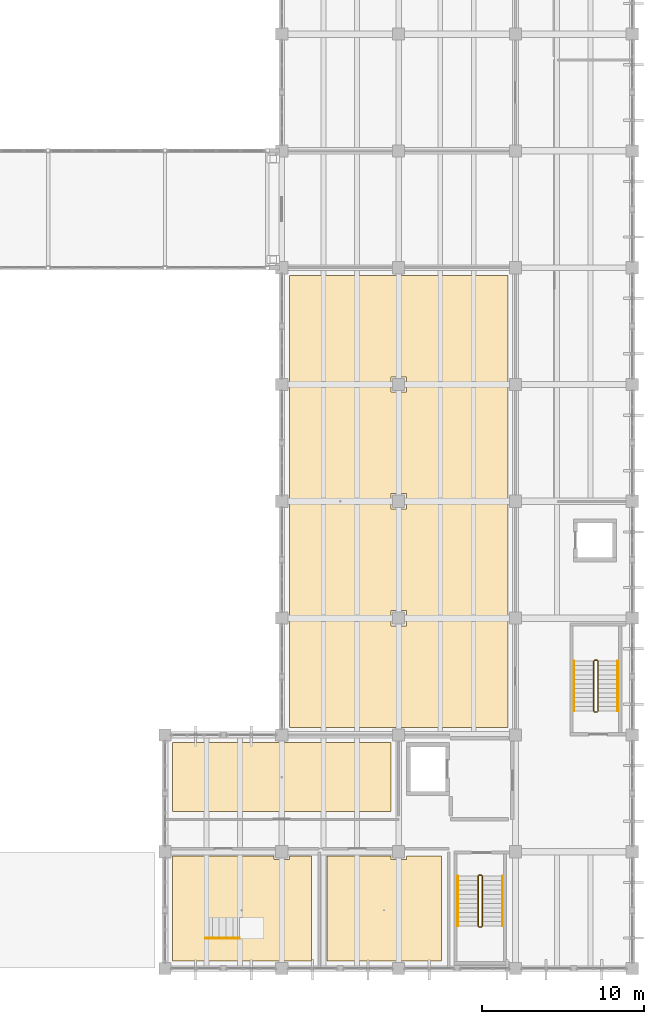
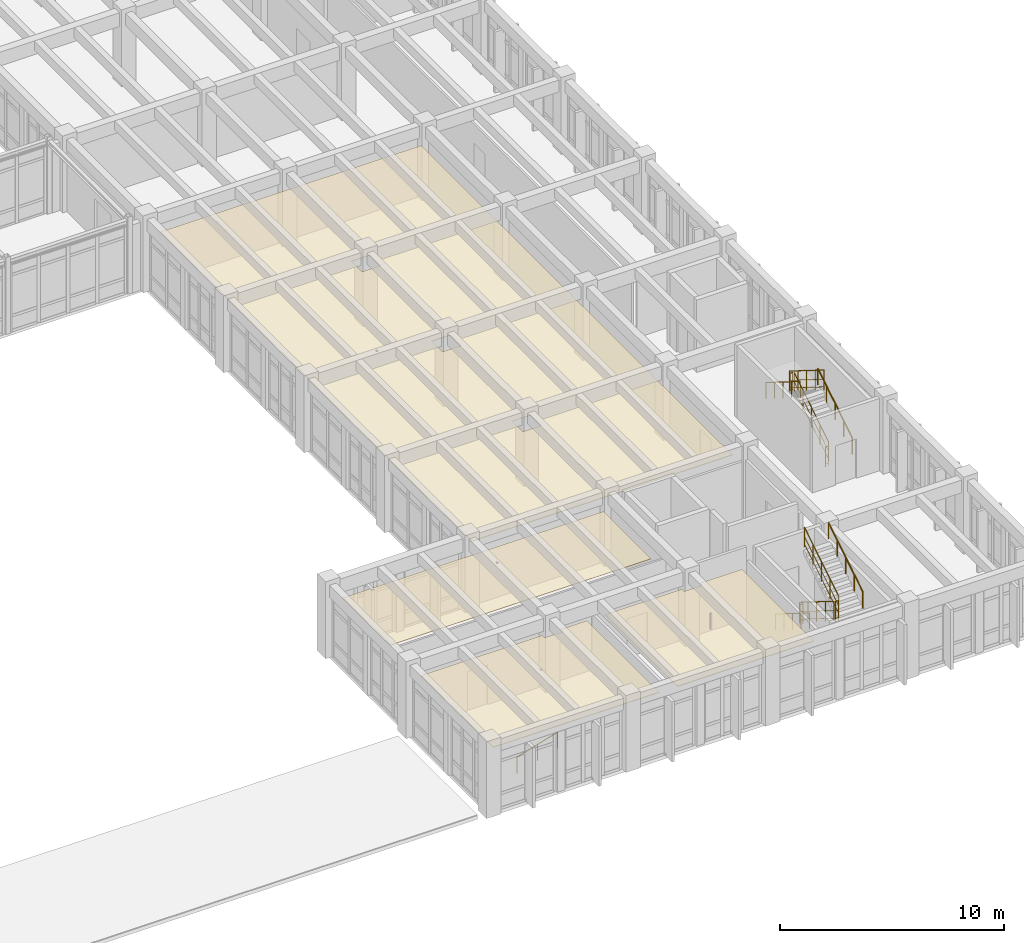
# One storey, part 135 of 136: 13 railings, 4 coverings.
"""IFC4 building model written with IfcOpenShell, lengths in metres."""

from ifc_helpers import new_model, si_unit, direction, frame, origin, origin_2d, place, context, subcontext, project, spatial, polyline, circle, outline, extrude, material, layer, layer_set, type_object, element, save


model = new_model("IFC4")

# Units and contexts
model_context = context("Model", 3, precision=1e-05, world=origin(), true_north=direction((0.0, 1.0)))
body_context = subcontext(model_context, "Body", "Model", "MODEL_VIEW")
ifc_project = project(units=[si_unit("LENGTHUNIT", "METRE"), si_unit("AREAUNIT", "SQUARE_METRE"), si_unit("VOLUMEUNIT", "CUBIC_METRE"), si_unit("PLANEANGLEUNIT", "RADIAN"), si_unit("MASSUNIT", "GRAM", prefix="KILO")], contexts=[model_context])

# Site, building, storey
site_placement = place(None, origin())
site = spatial("IfcSite", under=ifc_project, at=site_placement, CompositionType="ELEMENT")
building_placement = place(site_placement, origin())
building = spatial("IfcBuilding", under=site, at=building_placement, Name="Koriwan Promenade Central Fire Station", CompositionType="ELEMENT")
storey_placement = place(building_placement, frame((0.0, 0.0, 5.39990234375)))
storey = spatial("IfcBuildingStorey", under=building, at=storey_placement, Name="L01", CompositionType="ELEMENT", Elevation=5.39990234375)

# Coverings
ifc_material_1 = material(Name="Mineral-fibre acoustic ceiling tile on suspended grid", Category="ceiling")
ifc_layer_1 = layer(ifc_material_1, 0.02490234375, Name="Mineral-fibre acoustic ceiling tile on suspended grid")
ifc_layer_set_1 = layer_set([ifc_layer_1], Name="Mineral-fibre acoustic ceiling tile on suspended grid")
covering_type = type_object("IfcCoveringType", Name="AcousticCeiling_Tile", PredefinedType="CEILING", material=ifc_layer_set_1)
covering_1_placement = place(storey_placement, frame((0.0, 0.0, 3.080078125)))
element("IfcCovering", 1, at=covering_1_placement, inside=storey, type_object=covering_type, Name="Fire Engineering Training Classroom 1 suspended acoustic ceiling", PredefinedType="CEILING", context=body_context, shape_type="SweptSolid", body=[
    extrude(outline(polyline([(150.72509765625, 6.72509765625), (151.675048828125, 6.72509765625), (151.675048828125, 6.929931640625), (153.030029296875, 6.929931640625), (153.030029296875, 0.469970703125), (151.675048828125, 0.469970703125), (151.675048828125, 0.47509765625), (150.72509765625, 0.47509765625), (150.72509765625, 0.469970703125), (144.47509765625, 0.469970703125), (144.47509765625, 0.47509765625), (144.469970703125, 0.47509765625), (144.469970703125, 6.72509765625), (144.47509765625, 6.72509765625), (144.47509765625, 6.929931640625), (150.72509765625, 6.929931640625), (150.72509765625, 6.72509765625)])), origin(), (0.0, 0.0, 1.0), 0.02490234375),
])
covering_2_placement = place(storey_placement, frame((0.0, 0.0, 3.080078125)))
element("IfcCovering", 2, at=covering_2_placement, inside=storey, type_object=covering_type, Name="Incident Command Seminar Classroom 2 suspended acoustic ceiling", PredefinedType="CEILING", context=body_context, shape_type="SweptSolid", body=[
    extrude(outline(polyline([(153.969970703125, 0.469970703125), (153.969970703125, 6.929931640625), (157.925048828125, 6.929931640625), (157.925048828125, 6.72509765625), (158.875, 6.72509765625), (158.875, 6.929931640625), (161.030029296875, 6.929931640625), (161.030029296875, 0.469970703125), (158.875, 0.469970703125), (158.875, 0.47509765625), (157.925048828125, 0.47509765625), (157.925048828125, 0.469970703125), (153.969970703125, 0.469970703125)])), origin(), (0.0, 0.0, 1.0), 0.02490234375),
])
covering_3_placement = place(storey_placement, frame((0.0, 0.0, 3.080078125)))
element("IfcCovering", 3, at=covering_3_placement, inside=storey, type_object=covering_type, Name="Plan Review and Building Code Office suspended acoustic ceiling", PredefinedType="CEILING", context=body_context, shape_type="SweptSolid", body=[
    extrude(outline(polyline([(151.675048828125, 13.929931640625), (157.925048828125, 13.929931640625), (157.925048828125, 13.925048828125), (157.929931640625, 13.925048828125), (157.929931640625, 9.669921875), (144.469970703125, 9.669921875), (144.469970703125, 13.925048828125), (144.47509765625, 13.925048828125), (144.47509765625, 13.929931640625), (150.72509765625, 13.929931640625), (150.72509765625, 13.925048828125), (151.675048828125, 13.925048828125), (151.675048828125, 13.929931640625)])), origin(), (0.0, 0.0, 1.0), 0.02490234375),
])
covering_4_placement = place(storey_placement, frame((0.0, 0.0, 3.080078125)))
element("IfcCovering", 4, at=covering_4_placement, inside=storey, type_object=covering_type, Name="Metropolitan Brigade Operations Office suspended acoustic ceiling", PredefinedType="CEILING", context=body_context, shape_type="SweptSolid", body=[
    extrude(outline(polyline([(165.1298828125, 35.52490234375), (165.1298828125, 29.27490234375), (165.125, 29.27490234375), (165.125, 28.324951171875), (165.1298828125, 28.324951171875), (165.1298828125, 22.074951171875), (165.125, 22.074951171875), (165.125, 21.125), (165.1298828125, 21.125), (165.1298828125, 14.875), (165.125, 14.875), (165.125, 14.8701171875), (158.875, 14.8701171875), (158.875, 14.875), (157.925048828125, 14.875), (157.925048828125, 14.8701171875), (151.675048828125, 14.8701171875), (151.675048828125, 14.875), (151.669921875, 14.875), (151.669921875, 21.125), (151.675048828125, 21.125), (151.675048828125, 22.074951171875), (151.669921875, 22.074951171875), (151.669921875, 28.324951171875), (151.675048828125, 28.324951171875), (151.675048828125, 29.27490234375), (151.669921875, 29.27490234375), (151.669921875, 35.52490234375), (151.675048828125, 35.52490234375), (151.675048828125, 36.47509765625), (151.669921875, 36.47509765625), (151.669921875, 42.72509765625), (151.675048828125, 42.72509765625), (151.675048828125, 42.72998046875), (157.925048828125, 42.72998046875), (157.925048828125, 42.72509765625), (158.875, 42.72509765625), (158.875, 42.72998046875), (165.125, 42.72998046875), (165.125, 42.72509765625), (165.1298828125, 42.72509765625), (165.1298828125, 36.47509765625), (165.125, 36.47509765625), (165.125, 35.52490234375), (165.1298828125, 35.52490234375)]), holes=[polyline([(157.925048828125, 22.074951171875), (157.925048828125, 21.125), (158.875, 21.125), (158.875, 22.074951171875), (157.925048828125, 22.074951171875)]), polyline([(158.875, 29.27490234375), (157.925048828125, 29.27490234375), (157.925048828125, 28.324951171875), (158.875, 28.324951171875), (158.875, 29.27490234375)]), polyline([(158.875, 35.52490234375), (158.875, 36.47509765625), (157.925048828125, 36.47509765625), (157.925048828125, 35.52490234375), (158.875, 35.52490234375)])]), origin(), (0.0, 0.0, 1.0), 0.02490234375),
])

# Railings
ifc_material_2 = material(Name="Steel ASTM A500 Grade C", Category="steel")
ifc_layer_2 = layer(ifc_material_2, 0.050048828125, Name="Steel ASTM A500 Grade C")
ifc_layer_set_2 = layer_set([ifc_layer_2], Name="Steel ASTM A500 Grade C")
railing_type_1 = type_object("IfcRailingType", Name="StairGuard_1100", PredefinedType="BALUSTRADE", material=ifc_layer_set_2)
railing_1_placement = place(storey_placement, frame((163.300048828125, 5.699951171875, 0.175048828125)))
element("IfcRailing", 5, at=railing_1_placement, inside=storey, type_object=railing_type_1, Name="L01 ST22 stair guard 1", PredefinedType="BALUSTRADE", context=body_context, shape_type="SweptSolid", body=[
    extrude(circle(Radius=0.02392578125, at=origin_2d()), frame((0.0, 0.0, 1.076171875), z_axis=(0.0, -0.847979421464, 0.530029150871), x_axis=(1.0, 0.0, 0.0)), (0.0, 0.0, 1.0), 3.632080078125),
    extrude(circle(Radius=0.012939453125, at=origin_2d()), frame((0.0, 0.0, 0.572021484375), z_axis=(0.0, -0.847979421464, 0.530029150871), x_axis=(1.0, 0.0, 0.0)), (0.0, 0.0, 1.0), 3.632080078125),
    extrude(circle(Radius=0.012939453125, at=origin_2d()), frame((0.0, 0.0, 0.154052734375), z_axis=(0.0, -0.847979421464, 0.530029150871), x_axis=(1.0, 0.0, 0.0)), (0.0, 0.0, 1.0), 3.632080078125),
    extrude(circle(Radius=0.02099609375, at=origin_2d()), origin(), (0.0, 0.0, 1.0), 1.052001953125),
    extrude(circle(Radius=0.02099609375, at=origin_2d()), frame((0.0, -0.77001953125, 0.481201171875)), (0.0, 0.0, 1.0), 1.052001953125),
    extrude(circle(Radius=0.02099609375, at=origin_2d()), frame((0.0, -1.5400390625, 0.96240234375)), (0.0, 0.0, 1.0), 1.052001953125),
    extrude(circle(Radius=0.02099609375, at=origin_2d()), frame((0.0, -2.309814453125, 1.44384765625)), (0.0, 0.0, 1.0), 1.052001953125),
    extrude(circle(Radius=0.02099609375, at=origin_2d()), frame((0.0, -3.079833984375, 1.925048828125)), (0.0, 0.0, 1.0), 1.052001953125),
])
railing_2_placement = place(storey_placement, frame((163.35009765625, 2.570068359375, 2.10009765625)))
element("IfcRailing", 6, at=railing_2_placement, inside=storey, type_object=railing_type_1, Name="L01 ST22 stair guard 2", PredefinedType="BALUSTRADE", context=body_context, shape_type="SweptSolid", body=[
    extrude(circle(Radius=0.02392578125, at=origin_2d()), frame((0.0, 0.0, 1.076171875), z_axis=(1.0, 0.0, 0.0), x_axis=(0.0, 1.0, 0.0)), (0.0, 0.0, 1.0), 0.14990234375),
    extrude(circle(Radius=0.012939453125, at=origin_2d()), frame((0.0, 0.0, 0.572021484375), z_axis=(1.0, 0.0, 0.0), x_axis=(0.0, 1.0, 0.0)), (0.0, 0.0, 1.0), 0.14990234375),
    extrude(circle(Radius=0.012939453125, at=origin_2d()), frame((0.0, 0.0, 0.154052734375), z_axis=(1.0, 0.0, 0.0), x_axis=(0.0, 1.0, 0.0)), (0.0, 0.0, 1.0), 0.14990234375),
    extrude(circle(Radius=0.02099609375, at=origin_2d()), origin(), (0.0, 0.0, 1.0), 1.052001953125),
    extrude(circle(Radius=0.02099609375, at=origin_2d()), frame((0.14990234375, 0.0, 0.0)), (0.0, 0.0, 1.0), 1.052001953125),
])
railing_3_placement = place(storey_placement, frame((163.550048828125, 2.6201171875, 2.275146484375)))
element("IfcRailing", 7, at=railing_3_placement, inside=storey, type_object=railing_type_1, Name="L01 ST22 stair guard 3", PredefinedType="BALUSTRADE", context=body_context, shape_type="SweptSolid", body=[
    extrude(circle(Radius=0.02392578125, at=origin_2d()), frame((0.0, 0.0, 1.076171875), z_axis=(0.0, 0.847979421464, 0.530029150871), x_axis=(-1.0, 0.0, 0.0)), (0.0, 0.0, 1.0), 3.632080078125),
    extrude(circle(Radius=0.012939453125, at=origin_2d()), frame((0.0, 0.0, 0.572021484375), z_axis=(0.0, 0.847979421464, 0.530029150871), x_axis=(-1.0, 0.0, 0.0)), (0.0, 0.0, 1.0), 3.632080078125),
    extrude(circle(Radius=0.012939453125, at=origin_2d()), frame((0.0, 0.0, 0.154052734375), z_axis=(0.0, 0.847979421464, 0.530029150871), x_axis=(-1.0, 0.0, 0.0)), (0.0, 0.0, 1.0), 3.632080078125),
    extrude(circle(Radius=0.02099609375, at=origin_2d()), origin(), (0.0, 0.0, 1.0), 1.052001953125),
    extrude(circle(Radius=0.02099609375, at=origin_2d()), frame((0.0, 0.77001953125, 0.481201171875)), (0.0, 0.0, 1.0), 1.052001953125),
    extrude(circle(Radius=0.02099609375, at=origin_2d()), frame((0.0, 1.5400390625, 0.96240234375)), (0.0, 0.0, 1.0), 1.052001953125),
    extrude(circle(Radius=0.02099609375, at=origin_2d()), frame((0.0, 2.309814453125, 1.44384765625)), (0.0, 0.0, 1.0), 1.052001953125),
    extrude(circle(Radius=0.02099609375, at=origin_2d()), frame((0.0, 3.079833984375, 1.925048828125)), (0.0, 0.0, 1.0), 1.052001953125),
])
railing_4_placement = place(storey_placement, frame((163.35009765625, 5.75, 0.0)))
element("IfcRailing", 8, at=railing_4_placement, inside=storey, type_object=railing_type_1, Name="L01 ST22 stair guard 4", PredefinedType="BALUSTRADE", context=body_context, shape_type="SweptSolid", body=[
    extrude(circle(Radius=0.02392578125, at=origin_2d()), frame((0.0, 0.0, 1.076171875), z_axis=(1.0, 0.0, 0.0), x_axis=(0.0, 1.0, 0.0)), (0.0, 0.0, 1.0), 0.14990234375),
    extrude(circle(Radius=0.012939453125, at=origin_2d()), frame((0.0, 0.0, 0.572021484375), z_axis=(1.0, 0.0, 0.0), x_axis=(0.0, 1.0, 0.0)), (0.0, 0.0, 1.0), 0.14990234375),
    extrude(circle(Radius=0.012939453125, at=origin_2d()), frame((0.0, 0.0, 0.154052734375), z_axis=(1.0, 0.0, 0.0), x_axis=(0.0, 1.0, 0.0)), (0.0, 0.0, 1.0), 0.14990234375),
    extrude(circle(Radius=0.02099609375, at=origin_2d()), origin(), (0.0, 0.0, 1.0), 1.052001953125),
    extrude(circle(Radius=0.02099609375, at=origin_2d()), frame((0.14990234375, 0.0, 0.0)), (0.0, 0.0, 1.0), 1.052001953125),
])
railing_5_placement = place(storey_placement, frame((170.679931640625, 15.8701171875, 0.175048828125)))
element("IfcRailing", 9, at=railing_5_placement, inside=storey, type_object=railing_type_1, Name="L01 ST27 stair guard 1", PredefinedType="BALUSTRADE", context=body_context, shape_type="SweptSolid", body=[
    extrude(circle(Radius=0.02392578125, at=origin_2d()), frame((0.0, 0.0, 1.076171875), z_axis=(0.0, 0.847979421464, 0.530029150871), x_axis=(-1.0, 0.0, 0.0)), (0.0, 0.0, 1.0), 3.632080078125),
    extrude(circle(Radius=0.012939453125, at=origin_2d()), frame((0.0, 0.0, 0.572021484375), z_axis=(0.0, 0.847979421464, 0.530029150871), x_axis=(-1.0, 0.0, 0.0)), (0.0, 0.0, 1.0), 3.632080078125),
    extrude(circle(Radius=0.012939453125, at=origin_2d()), frame((0.0, 0.0, 0.154052734375), z_axis=(0.0, 0.847979421464, 0.530029150871), x_axis=(-1.0, 0.0, 0.0)), (0.0, 0.0, 1.0), 3.632080078125),
    extrude(circle(Radius=0.02099609375, at=origin_2d()), origin(), (0.0, 0.0, 1.0), 1.052001953125),
    extrude(circle(Radius=0.02099609375, at=origin_2d()), frame((0.0, 0.77001953125, 0.481201171875)), (0.0, 0.0, 1.0), 1.052001953125),
    extrude(circle(Radius=0.02099609375, at=origin_2d()), frame((0.0, 1.5400390625, 0.96240234375)), (0.0, 0.0, 1.0), 1.052001953125),
    extrude(circle(Radius=0.02099609375, at=origin_2d()), frame((0.0, 2.309814453125, 1.44384765625)), (0.0, 0.0, 1.0), 1.052001953125),
    extrude(circle(Radius=0.02099609375, at=origin_2d()), frame((0.0, 3.079833984375, 1.925048828125)), (0.0, 0.0, 1.0), 1.052001953125),
])
railing_6_placement = place(storey_placement, frame((170.6298828125, 19.0, 2.10009765625)))
element("IfcRailing", 10, at=railing_6_placement, inside=storey, type_object=railing_type_1, Name="L01 ST27 stair guard 2", PredefinedType="BALUSTRADE", context=body_context, shape_type="SweptSolid", body=[
    extrude(circle(Radius=0.02392578125, at=origin_2d()), frame((0.0, 0.0, 1.076171875), z_axis=(-1.0, 0.0, 0.0), x_axis=(0.0, -1.0, 0.0)), (0.0, 0.0, 1.0), 0.14990234375),
    extrude(circle(Radius=0.012939453125, at=origin_2d()), frame((0.0, 0.0, 0.572021484375), z_axis=(-1.0, 0.0, 0.0), x_axis=(0.0, -1.0, 0.0)), (0.0, 0.0, 1.0), 0.14990234375),
    extrude(circle(Radius=0.012939453125, at=origin_2d()), frame((0.0, 0.0, 0.154052734375), z_axis=(-1.0, 0.0, 0.0), x_axis=(0.0, -1.0, 0.0)), (0.0, 0.0, 1.0), 0.14990234375),
    extrude(circle(Radius=0.02099609375, at=origin_2d()), origin(), (0.0, 0.0, 1.0), 1.052001953125),
    extrude(circle(Radius=0.02099609375, at=origin_2d()), frame((-0.14990234375, 0.0, 0.0)), (0.0, 0.0, 1.0), 1.052001953125),
])
railing_7_placement = place(storey_placement, frame((170.429931640625, 18.949951171875, 2.275146484375)))
element("IfcRailing", 11, at=railing_7_placement, inside=storey, type_object=railing_type_1, Name="L01 ST27 stair guard 3", PredefinedType="BALUSTRADE", context=body_context, shape_type="SweptSolid", body=[
    extrude(circle(Radius=0.02392578125, at=origin_2d()), frame((0.0, 0.0, 1.076171875), z_axis=(0.0, -0.847979421464, 0.530029150871), x_axis=(1.0, 0.0, 0.0)), (0.0, 0.0, 1.0), 3.632080078125),
    extrude(circle(Radius=0.012939453125, at=origin_2d()), frame((0.0, 0.0, 0.572021484375), z_axis=(0.0, -0.847979421464, 0.530029150871), x_axis=(1.0, 0.0, 0.0)), (0.0, 0.0, 1.0), 3.632080078125),
    extrude(circle(Radius=0.012939453125, at=origin_2d()), frame((0.0, 0.0, 0.154052734375), z_axis=(0.0, -0.847979421464, 0.530029150871), x_axis=(1.0, 0.0, 0.0)), (0.0, 0.0, 1.0), 3.632080078125),
    extrude(circle(Radius=0.02099609375, at=origin_2d()), origin(), (0.0, 0.0, 1.0), 1.052001953125),
    extrude(circle(Radius=0.02099609375, at=origin_2d()), frame((0.0, -0.77001953125, 0.481201171875)), (0.0, 0.0, 1.0), 1.052001953125),
    extrude(circle(Radius=0.02099609375, at=origin_2d()), frame((0.0, -1.5400390625, 0.96240234375)), (0.0, 0.0, 1.0), 1.052001953125),
    extrude(circle(Radius=0.02099609375, at=origin_2d()), frame((0.0, -2.309814453125, 1.44384765625)), (0.0, 0.0, 1.0), 1.052001953125),
    extrude(circle(Radius=0.02099609375, at=origin_2d()), frame((0.0, -3.079833984375, 1.925048828125)), (0.0, 0.0, 1.0), 1.052001953125),
])
railing_8_placement = place(storey_placement, frame((170.6298828125, 15.820068359375, 0.0)))
element("IfcRailing", 12, at=railing_8_placement, inside=storey, type_object=railing_type_1, Name="L01 ST27 stair guard 4", PredefinedType="BALUSTRADE", context=body_context, shape_type="SweptSolid", body=[
    extrude(circle(Radius=0.02392578125, at=origin_2d()), frame((0.0, 0.0, 1.076171875), z_axis=(-1.0, 0.0, 0.0), x_axis=(0.0, -1.0, 0.0)), (0.0, 0.0, 1.0), 0.14990234375),
    extrude(circle(Radius=0.012939453125, at=origin_2d()), frame((0.0, 0.0, 0.572021484375), z_axis=(-1.0, 0.0, 0.0), x_axis=(0.0, -1.0, 0.0)), (0.0, 0.0, 1.0), 0.14990234375),
    extrude(circle(Radius=0.012939453125, at=origin_2d()), frame((0.0, 0.0, 0.154052734375), z_axis=(-1.0, 0.0, 0.0), x_axis=(0.0, -1.0, 0.0)), (0.0, 0.0, 1.0), 0.14990234375),
    extrude(circle(Radius=0.02099609375, at=origin_2d()), origin(), (0.0, 0.0, 1.0), 1.052001953125),
    extrude(circle(Radius=0.02099609375, at=origin_2d()), frame((-0.14990234375, 0.0, 0.0)), (0.0, 0.0, 1.0), 1.052001953125),
])
ifc_material_3 = material(Name="Stainless steel 316 tubular handrail", Category="steel")
ifc_layer_3 = layer(ifc_material_3, 0.048095703125, Name="Stainless steel 316 tubular handrail")
ifc_layer_set_3 = layer_set([ifc_layer_3], Name="Stainless steel 316 tubular handrail")
railing_type_2 = type_object("IfcRailingType", Name="StairHandrail_900", PredefinedType="HANDRAIL", material=ifc_layer_set_3)
railing_9_placement = place(storey_placement, frame((162.050048828125, 5.699951171875, 0.175048828125)))
element("IfcRailing", 13, at=railing_9_placement, inside=storey, type_object=railing_type_2, Name="L01 ST22 stair handrail 1", PredefinedType="HANDRAIL", context=body_context, shape_type="SweptSolid", body=[
    extrude(circle(Radius=0.02392578125, at=origin_2d()), frame((0.0, 0.0, 0.8759765625), z_axis=(0.0, -0.847979421464, 0.530029150871), x_axis=(1.0, 0.0, 0.0)), (0.0, 0.0, 1.0), 3.632080078125),
    extrude(circle(Radius=0.02099609375, at=origin_2d()), origin(), (0.0, 0.0, 1.0), 0.851806640625),
    extrude(circle(Radius=0.02099609375, at=origin_2d()), frame((0.0, -0.77001953125, 0.481201171875)), (0.0, 0.0, 1.0), 0.851806640625),
    extrude(circle(Radius=0.02099609375, at=origin_2d()), frame((0.0, -1.5400390625, 0.96240234375)), (0.0, 0.0, 1.0), 0.851806640625),
    extrude(circle(Radius=0.02099609375, at=origin_2d()), frame((0.0, -2.309814453125, 1.44384765625)), (0.0, 0.0, 1.0), 0.851806640625),
    extrude(circle(Radius=0.02099609375, at=origin_2d()), frame((0.0, -3.079833984375, 1.925048828125)), (0.0, 0.0, 1.0), 0.851806640625),
])
for number, where, name in (
    (14, (164.800048828125, 2.6201171875, 2.275146484375), "L01 ST22 stair handrail 2"),
    (15, (171.89990234375, 15.8701171875, 0.175048828125), "L01 ST27 stair handrail 1"),
):
    element("IfcRailing", number, at=place(storey_placement, frame(where)), inside=storey, type_object=railing_type_2, Name=name, PredefinedType="HANDRAIL", context=body_context, shape_type="SweptSolid", body=[
        extrude(circle(Radius=0.02392578125, at=origin_2d()), frame((0.0, 0.0, 0.8759765625), z_axis=(0.0, 0.847979421464, 0.530029150871), x_axis=(-1.0, 0.0, 0.0)), (0.0, 0.0, 1.0), 3.632080078125),
        extrude(circle(Radius=0.02099609375, at=origin_2d()), origin(), (0.0, 0.0, 1.0), 0.851806640625),
        extrude(circle(Radius=0.02099609375, at=origin_2d()), frame((0.0, 0.77001953125, 0.481201171875)), (0.0, 0.0, 1.0), 0.851806640625),
        extrude(circle(Radius=0.02099609375, at=origin_2d()), frame((0.0, 1.5400390625, 0.96240234375)), (0.0, 0.0, 1.0), 0.851806640625),
        extrude(circle(Radius=0.02099609375, at=origin_2d()), frame((0.0, 2.309814453125, 1.44384765625)), (0.0, 0.0, 1.0), 0.851806640625),
        extrude(circle(Radius=0.02099609375, at=origin_2d()), frame((0.0, 3.079833984375, 1.925048828125)), (0.0, 0.0, 1.0), 0.851806640625),
    ])
railing_10_placement = place(storey_placement, frame((169.2099609375, 18.949951171875, 2.275146484375)))
element("IfcRailing", 16, at=railing_10_placement, inside=storey, type_object=railing_type_2, Name="L01 ST27 stair handrail 2", PredefinedType="HANDRAIL", context=body_context, shape_type="SweptSolid", body=[
    extrude(circle(Radius=0.02392578125, at=origin_2d()), frame((0.0, 0.0, 0.8759765625), z_axis=(0.0, -0.847979421464, 0.530029150871), x_axis=(1.0, 0.0, 0.0)), (0.0, 0.0, 1.0), 3.632080078125),
    extrude(circle(Radius=0.02099609375, at=origin_2d()), origin(), (0.0, 0.0, 1.0), 0.851806640625),
    extrude(circle(Radius=0.02099609375, at=origin_2d()), frame((0.0, -0.77001953125, 0.481201171875)), (0.0, 0.0, 1.0), 0.851806640625),
    extrude(circle(Radius=0.02099609375, at=origin_2d()), frame((0.0, -1.5400390625, 0.96240234375)), (0.0, 0.0, 1.0), 0.851806640625),
    extrude(circle(Radius=0.02099609375, at=origin_2d()), frame((0.0, -2.309814453125, 1.44384765625)), (0.0, 0.0, 1.0), 0.851806640625),
    extrude(circle(Radius=0.02099609375, at=origin_2d()), frame((0.0, -3.079833984375, 1.925048828125)), (0.0, 0.0, 1.0), 0.851806640625),
])
railing_11_placement = place(storey_placement, frame((146.5, 1.8798828125, 0.125)))
element("IfcRailing", 17, at=railing_11_placement, inside=storey, type_object=railing_type_2, Name="DAIS_V5_CL1 dais handrail", PredefinedType="HANDRAIL", context=body_context, shape_type="SweptSolid", body=[
    extrude(circle(Radius=0.02392578125, at=origin_2d()), frame((0.0, 0.0, 0.8759765625), z_axis=(0.958455704924, 0.0, 0.28524140951), x_axis=(0.0, 1.0, 0.0)), (0.0, 0.0, 1.0), 2.191162109375),
    extrude(circle(Radius=0.02099609375, at=origin_2d()), origin(), (0.0, 0.0, 1.0), 0.851806640625),
    extrude(circle(Radius=0.02099609375, at=origin_2d()), frame((1.050048828125, 0.0, 0.3125)), (0.0, 0.0, 1.0), 0.851806640625),
    extrude(circle(Radius=0.02099609375, at=origin_2d()), frame((2.10009765625, 0.0, 0.625)), (0.0, 0.0, 1.0), 0.851806640625),
])

save(model, "model.ifc")
